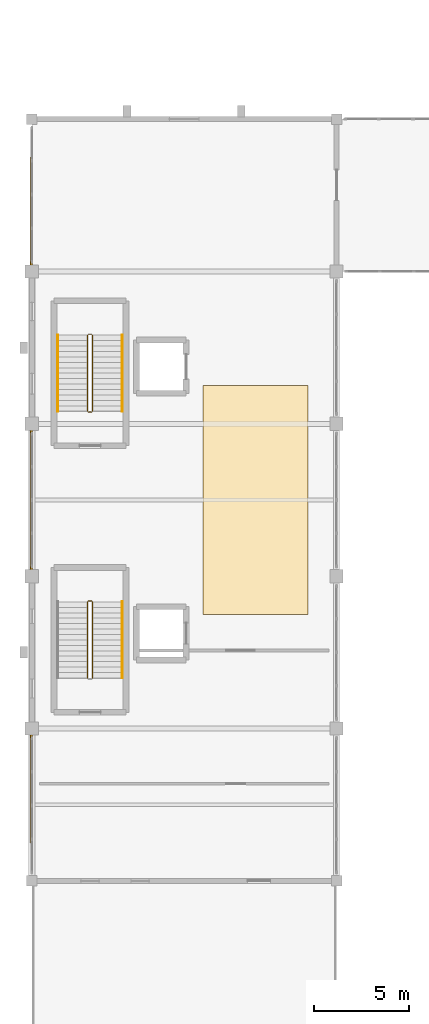
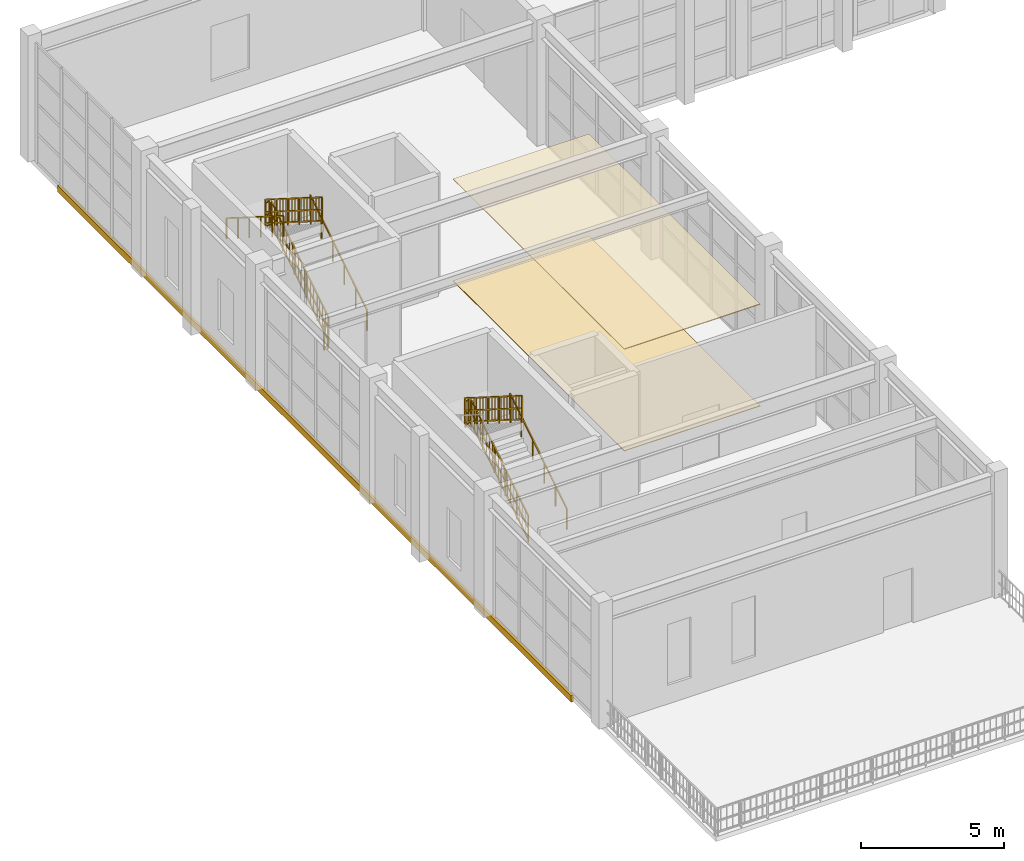
# One storey, part 74 of 82: 10 railings, 3 coverings.
"""IFC4 building model written with IfcOpenShell, lengths in metres."""

from ifc_helpers import new_model, si_unit, direction, frame, origin, origin_2d, place, context, subcontext, project, spatial, polyline, rectangle, outline, extrude, material, layer, layer_set, type_object, element, save


model = new_model("IFC4")

# Units and contexts
model_context = context("Model", 3, precision=1e-05, world=origin(), true_north=direction((0.0, 1.0)))
body_context = subcontext(model_context, "Body", "Model", "MODEL_VIEW")
ifc_project = project(units=[si_unit("LENGTHUNIT", "METRE"), si_unit("AREAUNIT", "SQUARE_METRE"), si_unit("VOLUMEUNIT", "CUBIC_METRE"), si_unit("PLANEANGLEUNIT", "RADIAN"), si_unit("MASSUNIT", "GRAM", prefix="KILO")], contexts=[model_context])

# Site, building, storey
site_placement = place(None, origin())
site = spatial("IfcSite", under=ifc_project, at=site_placement, CompositionType="ELEMENT")
building_placement = place(site_placement, origin())
building = spatial("IfcBuilding", under=site, at=building_placement, Name="Serraluz Foothill Cableway Terminal", CompositionType="ELEMENT")
storey_placement = place(building_placement, frame((0.0, 0.0, 9.60009765625)))
storey = spatial("IfcBuildingStorey", under=building, at=storey_placement, Name="L02", CompositionType="ELEMENT", Elevation=9.60009765625)

# Coverings
ifc_material_1 = material(Name="Perforated acoustic mineral and timber ceiling", Category="wood")
ifc_layer_1 = layer(ifc_material_1, 0.034912109375, Name="Perforated acoustic mineral and timber ceiling", Category="wood")
ifc_layer_set_1 = layer_set([ifc_layer_1], Name="Perforated acoustic mineral and timber ceiling")
covering_type_1 = type_object("IfcCoveringType", Name="TYP-COV-CEIL-35", PredefinedType="CEILING", material=ifc_layer_set_1)
covering_1_placement = place(storey_placement, frame((0.0, 0.0, 4.345947265625)))
element("IfcCovering", 1, at=covering_1_placement, inside=storey, type_object=covering_type_1, Name="Suspended Acoustic Ceiling 10", PredefinedType="CEILING", context=body_context, shape_type="SweptSolid", body=[
    extrude(outline(polyline([(9.0, 38.0), (9.0, 50.0), (14.5, 50.0), (14.5, 38.0), (9.0, 38.0)])), origin(), (0.0, 0.0, 1.0), 0.034912109375),
])
ifc_material_2 = material(Name="Fired clay masonry brick (f'm 12 MPa)", Category="masonry")
ifc_layer_2 = layer(ifc_material_2, 0.090087890625, Name="Fired clay masonry brick (f'm 12 MPa)", Category="masonry")
ifc_layer_set_2 = layer_set([ifc_layer_2], Name="Fired clay masonry brick (f'm 12 MPa)")
covering_type_2 = type_object("IfcCoveringType", Name="TYP-COV-CLAD-90", PredefinedType="CLADDING", material=ifc_layer_set_2)
covering_2_placement = place(storey_placement, frame((-0.030029296875, 44.0, -0.2802734375), z_axis=(0.0, 0.0, 1.0), x_axis=(0.0, 1.0, 0.0)))
element("IfcCovering", 2, at=covering_2_placement, inside=storey, type_object=covering_type_2, Name="Terracotta Spandrel Relief Band COV-CLAD-V5W-2", PredefinedType="CLADDING", context=body_context, shape_type="SweptSolid", body=[
    extrude(rectangle(XDim=36.0, YDim=0.090087890625, at=origin_2d()), origin(), (0.0, 0.0, 1.0), 0.280029296875),
])
ifc_material_3 = material(Name="Honed basalt and terrazzo floor finish", Category="masonry")
ifc_layer_3 = layer(ifc_material_3, 0.02490234375, Name="Honed basalt and terrazzo floor finish", Category="masonry")
ifc_layer_set_3 = layer_set([ifc_layer_3], Name="Honed basalt and terrazzo floor finish")
covering_type_3 = type_object("IfcCoveringType", Name="TYP-COV-FLR-25", PredefinedType="FLOORING", material=ifc_layer_set_3)
covering_3_placement = place(storey_placement, origin())
element("IfcCovering", 3, at=covering_3_placement, inside=storey, type_object=covering_type_3, Name="Terrazzo Concourse Flooring 10", PredefinedType="FLOORING", context=body_context, shape_type="SweptSolid", body=[
    extrude(outline(polyline([(9.0, 38.0), (14.5, 38.0), (14.5, 50.0), (9.0, 50.0), (9.0, 38.0)])), origin(), (0.0, 0.0, 1.0), 0.02490234375),
])

# Railings
ifc_material_4 = material(Name="Steel ASTM A572 Grade 50", Category="steel")
ifc_layer_4 = layer(ifc_material_4, 0.054931640625, Name="Steel ASTM A572 Grade 50", Category="steel")
ifc_layer_set_4 = layer_set([ifc_layer_4], Name="Steel ASTM A572 Grade 50")
railing_type_1 = type_object("IfcRailingType", Name="TYP-RL-GRD-1150", PredefinedType="GUARDRAIL", material=ifc_layer_set_4)
railing_1_placement = place(storey_placement, frame((3.18994140625, 48.659912109375, 0.179931640625)))
element("IfcRailing", 4, at=railing_1_placement, inside=storey, type_object=railing_type_1, Name="L02 ST-01 stair guard 1", PredefinedType="GUARDRAIL", context=body_context, shape_type="SweptSolid", body=[
    extrude(rectangle(XDim=0.048095703125, YDim=0.048095703125, at=origin_2d()), frame((0.0, 0.0, 1.1259765625), z_axis=(0.0, 0.845486444383, 0.533996884227), x_axis=(-1.0, 0.0, 0.0)), (0.0, 0.0, 1.0), 4.71923828125),
    extrude(rectangle(XDim=0.048095703125, YDim=0.048095703125, at=origin_2d()), frame((0.0, 0.0, 0.597900390625), z_axis=(0.0, 0.845486444383, 0.533996884227), x_axis=(-1.0, 0.0, 0.0)), (0.0, 0.0, 1.0), 4.71923828125),
    extrude(rectangle(XDim=0.048095703125, YDim=0.048095703125, at=origin_2d()), frame((0.0, 0.0, 0.1201171875), z_axis=(0.0, 0.845486444383, 0.533996884227), x_axis=(-1.0, 0.0, 0.0)), (0.0, 0.0, 1.0), 4.71923828125),
    extrude(rectangle(XDim=0.02001953125, YDim=0.02001953125, at=origin_2d()), frame((0.0, 0.2099609375, 0.252685546875)), (0.0, 0.0, 1.0), 0.981689453125),
    extrude(rectangle(XDim=0.02001953125, YDim=0.02001953125, at=origin_2d()), frame((0.0, 0.419921875, 0.38525390625)), (0.0, 0.0, 1.0), 0.981689453125),
    extrude(rectangle(XDim=0.02001953125, YDim=0.02001953125, at=origin_2d()), frame((0.0, 0.6298828125, 0.517822265625)), (0.0, 0.0, 1.0), 0.981689453125),
    extrude(rectangle(XDim=0.02001953125, YDim=0.02001953125, at=origin_2d()), frame((0.0, 1.050048828125, 0.783203125)), (0.0, 0.0, 1.0), 0.981689453125),
    extrude(rectangle(XDim=0.02001953125, YDim=0.02001953125, at=origin_2d()), frame((0.0, 1.260009765625, 0.915771484375)), (0.0, 0.0, 1.0), 0.981689453125),
    extrude(rectangle(XDim=0.02001953125, YDim=0.02001953125, at=origin_2d()), frame((0.0, 1.469970703125, 1.04833984375)), (0.0, 0.0, 1.0), 0.981689453125),
    extrude(rectangle(XDim=0.02001953125, YDim=0.02001953125, at=origin_2d()), frame((0.0, 1.679931640625, 1.18115234375)), (0.0, 0.0, 1.0), 0.981689453125),
    extrude(rectangle(XDim=0.02001953125, YDim=0.02001953125, at=origin_2d()), frame((0.0, 1.889892578125, 1.313720703125)), (0.0, 0.0, 1.0), 0.981689453125),
    extrude(rectangle(XDim=0.02001953125, YDim=0.02001953125, at=origin_2d()), frame((0.0, 2.10009765625, 1.4462890625)), (0.0, 0.0, 1.0), 0.981689453125),
    extrude(rectangle(XDim=0.02001953125, YDim=0.02001953125, at=origin_2d()), frame((0.0, 2.31005859375, 1.578857421875)), (0.0, 0.0, 1.0), 0.981689453125),
    extrude(rectangle(XDim=0.02001953125, YDim=0.02001953125, at=origin_2d()), frame((0.0, 2.52001953125, 1.711669921875)), (0.0, 0.0, 1.0), 0.981689453125),
    extrude(rectangle(XDim=0.02001953125, YDim=0.02001953125, at=origin_2d()), frame((0.0, 2.72998046875, 1.84423828125)), (0.0, 0.0, 1.0), 0.981689453125),
    extrude(rectangle(XDim=0.02001953125, YDim=0.02001953125, at=origin_2d()), frame((0.0, 2.93994140625, 1.976806640625)), (0.0, 0.0, 1.0), 0.981689453125),
    extrude(rectangle(XDim=0.02001953125, YDim=0.02001953125, at=origin_2d()), frame((0.0, 3.360107421875, 2.2421875)), (0.0, 0.0, 1.0), 0.981689453125),
    extrude(rectangle(XDim=0.02001953125, YDim=0.02001953125, at=origin_2d()), frame((0.0, 3.570068359375, 2.374755859375)), (0.0, 0.0, 1.0), 0.981689453125),
    extrude(rectangle(XDim=0.02001953125, YDim=0.02001953125, at=origin_2d()), frame((0.0, 3.780029296875, 2.50732421875)), (0.0, 0.0, 1.0), 0.981689453125),
    extrude(rectangle(XDim=0.0439453125, YDim=0.0439453125, at=origin_2d()), origin(), (0.0, 0.0, 1.0), 1.101806640625),
    extrude(rectangle(XDim=0.0439453125, YDim=0.0439453125, at=origin_2d()), frame((0.0, 0.798095703125, 0.50390625)), (0.0, 0.0, 1.0), 1.101806640625),
    extrude(rectangle(XDim=0.0439453125, YDim=0.0439453125, at=origin_2d()), frame((0.0, 1.595947265625, 1.008056640625)), (0.0, 0.0, 1.0), 1.101806640625),
    extrude(rectangle(XDim=0.0439453125, YDim=0.0439453125, at=origin_2d()), frame((0.0, 2.39404296875, 1.511962890625)), (0.0, 0.0, 1.0), 1.101806640625),
    extrude(rectangle(XDim=0.0439453125, YDim=0.0439453125, at=origin_2d()), frame((0.0, 3.19189453125, 2.01611328125)), (0.0, 0.0, 1.0), 1.101806640625),
    extrude(rectangle(XDim=0.0439453125, YDim=0.0439453125, at=origin_2d()), frame((0.0, 3.989990234375, 2.52001953125)), (0.0, 0.0, 1.0), 1.101806640625),
])
railing_2_placement = place(storey_placement, frame((3.139892578125, 52.699951171875, 2.699951171875)))
element("IfcRailing", 5, at=railing_2_placement, inside=storey, type_object=railing_type_1, Name="L02 ST-01 stair guard 2", PredefinedType="GUARDRAIL", context=body_context, shape_type="SweptSolid", body=[
    extrude(rectangle(XDim=0.048095703125, YDim=0.048095703125, at=origin_2d()), frame((0.0, 0.0, 1.1259765625), z_axis=(-1.0, 0.0, 0.0), x_axis=(0.0, -1.0, 0.0)), (0.0, 0.0, 1.0), 0.159912109375),
    extrude(rectangle(XDim=0.048095703125, YDim=0.048095703125, at=origin_2d()), frame((0.0, 0.0, 0.597900390625), z_axis=(-1.0, 0.0, 0.0), x_axis=(0.0, -1.0, 0.0)), (0.0, 0.0, 1.0), 0.159912109375),
    extrude(rectangle(XDim=0.048095703125, YDim=0.048095703125, at=origin_2d()), frame((0.0, 0.0, 0.1201171875), z_axis=(-1.0, 0.0, 0.0), x_axis=(0.0, -1.0, 0.0)), (0.0, 0.0, 1.0), 0.159912109375),
    extrude(rectangle(XDim=0.0439453125, YDim=0.0439453125, at=origin_2d()), origin(), (0.0, 0.0, 1.0), 1.101806640625),
    extrude(rectangle(XDim=0.0439453125, YDim=0.0439453125, at=origin_2d()), frame((-0.159912109375, 0.0, 0.0)), (0.0, 0.0, 1.0), 1.101806640625),
])
railing_3_placement = place(storey_placement, frame((2.929931640625, 52.64990234375, 2.8798828125)))
element("IfcRailing", 6, at=railing_3_placement, inside=storey, type_object=railing_type_1, Name="L02 ST-01 stair guard 3", PredefinedType="GUARDRAIL", context=body_context, shape_type="SweptSolid", body=[
    extrude(rectangle(XDim=0.048095703125, YDim=0.048095703125, at=origin_2d()), frame((0.0, 0.0, 1.1259765625), z_axis=(0.0, -0.845486444383, 0.533996884227), x_axis=(1.0, 0.0, 0.0)), (0.0, 0.0, 1.0), 4.71923828125),
    extrude(rectangle(XDim=0.048095703125, YDim=0.048095703125, at=origin_2d()), frame((0.0, 0.0, 0.597900390625), z_axis=(0.0, -0.845486444383, 0.533996884227), x_axis=(1.0, 0.0, 0.0)), (0.0, 0.0, 1.0), 4.71923828125),
    extrude(rectangle(XDim=0.048095703125, YDim=0.048095703125, at=origin_2d()), frame((0.0, 0.0, 0.1201171875), z_axis=(0.0, -0.845486444383, 0.533996884227), x_axis=(1.0, 0.0, 0.0)), (0.0, 0.0, 1.0), 4.71923828125),
    extrude(rectangle(XDim=0.02001953125, YDim=0.02001953125, at=origin_2d()), frame((0.0, -0.2099609375, 0.252685546875)), (0.0, 0.0, 1.0), 0.981689453125),
    extrude(rectangle(XDim=0.02001953125, YDim=0.02001953125, at=origin_2d()), frame((0.0, -0.419921875, 0.38525390625)), (0.0, 0.0, 1.0), 0.981689453125),
    extrude(rectangle(XDim=0.02001953125, YDim=0.02001953125, at=origin_2d()), frame((0.0, -0.6298828125, 0.517822265625)), (0.0, 0.0, 1.0), 0.981689453125),
    extrude(rectangle(XDim=0.02001953125, YDim=0.02001953125, at=origin_2d()), frame((0.0, -1.050048828125, 0.783203125)), (0.0, 0.0, 1.0), 0.981689453125),
    extrude(rectangle(XDim=0.02001953125, YDim=0.02001953125, at=origin_2d()), frame((0.0, -1.260009765625, 0.915771484375)), (0.0, 0.0, 1.0), 0.981689453125),
    extrude(rectangle(XDim=0.02001953125, YDim=0.02001953125, at=origin_2d()), frame((0.0, -1.469970703125, 1.04833984375)), (0.0, 0.0, 1.0), 0.981689453125),
    extrude(rectangle(XDim=0.02001953125, YDim=0.02001953125, at=origin_2d()), frame((0.0, -1.679931640625, 1.18115234375)), (0.0, 0.0, 1.0), 0.981689453125),
    extrude(rectangle(XDim=0.02001953125, YDim=0.02001953125, at=origin_2d()), frame((0.0, -1.889892578125, 1.313720703125)), (0.0, 0.0, 1.0), 0.981689453125),
    extrude(rectangle(XDim=0.02001953125, YDim=0.02001953125, at=origin_2d()), frame((0.0, -2.10009765625, 1.4462890625)), (0.0, 0.0, 1.0), 0.981689453125),
    extrude(rectangle(XDim=0.02001953125, YDim=0.02001953125, at=origin_2d()), frame((0.0, -2.31005859375, 1.578857421875)), (0.0, 0.0, 1.0), 0.981689453125),
    extrude(rectangle(XDim=0.02001953125, YDim=0.02001953125, at=origin_2d()), frame((0.0, -2.52001953125, 1.711669921875)), (0.0, 0.0, 1.0), 0.981689453125),
    extrude(rectangle(XDim=0.02001953125, YDim=0.02001953125, at=origin_2d()), frame((0.0, -2.72998046875, 1.84423828125)), (0.0, 0.0, 1.0), 0.981689453125),
    extrude(rectangle(XDim=0.02001953125, YDim=0.02001953125, at=origin_2d()), frame((0.0, -2.93994140625, 1.976806640625)), (0.0, 0.0, 1.0), 0.981689453125),
    extrude(rectangle(XDim=0.02001953125, YDim=0.02001953125, at=origin_2d()), frame((0.0, -3.360107421875, 2.2421875)), (0.0, 0.0, 1.0), 0.981689453125),
    extrude(rectangle(XDim=0.02001953125, YDim=0.02001953125, at=origin_2d()), frame((0.0, -3.570068359375, 2.374755859375)), (0.0, 0.0, 1.0), 0.981689453125),
    extrude(rectangle(XDim=0.02001953125, YDim=0.02001953125, at=origin_2d()), frame((0.0, -3.780029296875, 2.50732421875)), (0.0, 0.0, 1.0), 0.981689453125),
    extrude(rectangle(XDim=0.0439453125, YDim=0.0439453125, at=origin_2d()), origin(), (0.0, 0.0, 1.0), 1.101806640625),
    extrude(rectangle(XDim=0.0439453125, YDim=0.0439453125, at=origin_2d()), frame((0.0, -0.798095703125, 0.50390625)), (0.0, 0.0, 1.0), 1.101806640625),
    extrude(rectangle(XDim=0.0439453125, YDim=0.0439453125, at=origin_2d()), frame((0.0, -1.595947265625, 1.008056640625)), (0.0, 0.0, 1.0), 1.101806640625),
    extrude(rectangle(XDim=0.0439453125, YDim=0.0439453125, at=origin_2d()), frame((0.0, -2.39404296875, 1.511962890625)), (0.0, 0.0, 1.0), 1.101806640625),
    extrude(rectangle(XDim=0.0439453125, YDim=0.0439453125, at=origin_2d()), frame((0.0, -3.19189453125, 2.01611328125)), (0.0, 0.0, 1.0), 1.101806640625),
    extrude(rectangle(XDim=0.0439453125, YDim=0.0439453125, at=origin_2d()), frame((0.0, -3.989990234375, 2.52001953125)), (0.0, 0.0, 1.0), 1.101806640625),
])
railing_4_placement = place(storey_placement, frame((3.139892578125, 48.610107421875, 0.0)))
element("IfcRailing", 7, at=railing_4_placement, inside=storey, type_object=railing_type_1, Name="L02 ST-01 stair guard 4", PredefinedType="GUARDRAIL", context=body_context, shape_type="SweptSolid", body=[
    extrude(rectangle(XDim=0.048095703125, YDim=0.048095703125, at=origin_2d()), frame((0.0, 0.0, 1.1259765625), z_axis=(-1.0, 0.0, 0.0), x_axis=(0.0, -1.0, 0.0)), (0.0, 0.0, 1.0), 0.159912109375),
    extrude(rectangle(XDim=0.048095703125, YDim=0.048095703125, at=origin_2d()), frame((0.0, 0.0, 0.597900390625), z_axis=(-1.0, 0.0, 0.0), x_axis=(0.0, -1.0, 0.0)), (0.0, 0.0, 1.0), 0.159912109375),
    extrude(rectangle(XDim=0.048095703125, YDim=0.048095703125, at=origin_2d()), frame((0.0, 0.0, 0.1201171875), z_axis=(-1.0, 0.0, 0.0), x_axis=(0.0, -1.0, 0.0)), (0.0, 0.0, 1.0), 0.159912109375),
    extrude(rectangle(XDim=0.0439453125, YDim=0.0439453125, at=origin_2d()), origin(), (0.0, 0.0, 1.0), 1.101806640625),
    extrude(rectangle(XDim=0.0439453125, YDim=0.0439453125, at=origin_2d()), frame((-0.159912109375, 0.0, 0.0)), (0.0, 0.0, 1.0), 1.101806640625),
])
railing_5_placement = place(storey_placement, frame((3.18994140625, 34.659912109375, 0.179931640625)))
element("IfcRailing", 8, at=railing_5_placement, inside=storey, type_object=railing_type_1, Name="L02 ST-02 stair guard 1", PredefinedType="GUARDRAIL", context=body_context, shape_type="SweptSolid", body=[
    extrude(rectangle(XDim=0.048095703125, YDim=0.048095703125, at=origin_2d()), frame((0.0, 0.0, 1.1259765625), z_axis=(0.0, 0.845486444383, 0.533996884227), x_axis=(-1.0, 0.0, 0.0)), (0.0, 0.0, 1.0), 4.71923828125),
    extrude(rectangle(XDim=0.048095703125, YDim=0.048095703125, at=origin_2d()), frame((0.0, 0.0, 0.597900390625), z_axis=(0.0, 0.845486444383, 0.533996884227), x_axis=(-1.0, 0.0, 0.0)), (0.0, 0.0, 1.0), 4.71923828125),
    extrude(rectangle(XDim=0.048095703125, YDim=0.048095703125, at=origin_2d()), frame((0.0, 0.0, 0.1201171875), z_axis=(0.0, 0.845486444383, 0.533996884227), x_axis=(-1.0, 0.0, 0.0)), (0.0, 0.0, 1.0), 4.71923828125),
    extrude(rectangle(XDim=0.02001953125, YDim=0.02001953125, at=origin_2d()), frame((0.0, 0.2099609375, 0.252685546875)), (0.0, 0.0, 1.0), 0.981689453125),
    extrude(rectangle(XDim=0.02001953125, YDim=0.02001953125, at=origin_2d()), frame((0.0, 0.419921875, 0.38525390625)), (0.0, 0.0, 1.0), 0.981689453125),
    extrude(rectangle(XDim=0.02001953125, YDim=0.02001953125, at=origin_2d()), frame((0.0, 0.6298828125, 0.517822265625)), (0.0, 0.0, 1.0), 0.981689453125),
    extrude(rectangle(XDim=0.02001953125, YDim=0.02001953125, at=origin_2d()), frame((0.0, 1.050048828125, 0.783203125)), (0.0, 0.0, 1.0), 0.981689453125),
    extrude(rectangle(XDim=0.02001953125, YDim=0.02001953125, at=origin_2d()), frame((0.0, 1.260009765625, 0.915771484375)), (0.0, 0.0, 1.0), 0.981689453125),
    extrude(rectangle(XDim=0.02001953125, YDim=0.02001953125, at=origin_2d()), frame((0.0, 1.469970703125, 1.04833984375)), (0.0, 0.0, 1.0), 0.981689453125),
    extrude(rectangle(XDim=0.02001953125, YDim=0.02001953125, at=origin_2d()), frame((0.0, 1.679931640625, 1.18115234375)), (0.0, 0.0, 1.0), 0.981689453125),
    extrude(rectangle(XDim=0.02001953125, YDim=0.02001953125, at=origin_2d()), frame((0.0, 1.889892578125, 1.313720703125)), (0.0, 0.0, 1.0), 0.981689453125),
    extrude(rectangle(XDim=0.02001953125, YDim=0.02001953125, at=origin_2d()), frame((0.0, 2.10009765625, 1.4462890625)), (0.0, 0.0, 1.0), 0.981689453125),
    extrude(rectangle(XDim=0.02001953125, YDim=0.02001953125, at=origin_2d()), frame((0.0, 2.31005859375, 1.578857421875)), (0.0, 0.0, 1.0), 0.981689453125),
    extrude(rectangle(XDim=0.02001953125, YDim=0.02001953125, at=origin_2d()), frame((0.0, 2.52001953125, 1.711669921875)), (0.0, 0.0, 1.0), 0.981689453125),
    extrude(rectangle(XDim=0.02001953125, YDim=0.02001953125, at=origin_2d()), frame((0.0, 2.72998046875, 1.84423828125)), (0.0, 0.0, 1.0), 0.981689453125),
    extrude(rectangle(XDim=0.02001953125, YDim=0.02001953125, at=origin_2d()), frame((0.0, 2.93994140625, 1.976806640625)), (0.0, 0.0, 1.0), 0.981689453125),
    extrude(rectangle(XDim=0.02001953125, YDim=0.02001953125, at=origin_2d()), frame((0.0, 3.360107421875, 2.2421875)), (0.0, 0.0, 1.0), 0.981689453125),
    extrude(rectangle(XDim=0.02001953125, YDim=0.02001953125, at=origin_2d()), frame((0.0, 3.570068359375, 2.374755859375)), (0.0, 0.0, 1.0), 0.981689453125),
    extrude(rectangle(XDim=0.02001953125, YDim=0.02001953125, at=origin_2d()), frame((0.0, 3.780029296875, 2.50732421875)), (0.0, 0.0, 1.0), 0.981689453125),
    extrude(rectangle(XDim=0.0439453125, YDim=0.0439453125, at=origin_2d()), origin(), (0.0, 0.0, 1.0), 1.101806640625),
    extrude(rectangle(XDim=0.0439453125, YDim=0.0439453125, at=origin_2d()), frame((0.0, 0.798095703125, 0.50390625)), (0.0, 0.0, 1.0), 1.101806640625),
    extrude(rectangle(XDim=0.0439453125, YDim=0.0439453125, at=origin_2d()), frame((0.0, 1.595947265625, 1.008056640625)), (0.0, 0.0, 1.0), 1.101806640625),
    extrude(rectangle(XDim=0.0439453125, YDim=0.0439453125, at=origin_2d()), frame((0.0, 2.39404296875, 1.511962890625)), (0.0, 0.0, 1.0), 1.101806640625),
    extrude(rectangle(XDim=0.0439453125, YDim=0.0439453125, at=origin_2d()), frame((0.0, 3.19189453125, 2.01611328125)), (0.0, 0.0, 1.0), 1.101806640625),
    extrude(rectangle(XDim=0.0439453125, YDim=0.0439453125, at=origin_2d()), frame((0.0, 3.989990234375, 2.52001953125)), (0.0, 0.0, 1.0), 1.101806640625),
])
railing_6_placement = place(storey_placement, frame((3.139892578125, 38.699951171875, 2.699951171875)))
element("IfcRailing", 9, at=railing_6_placement, inside=storey, type_object=railing_type_1, Name="L02 ST-02 stair guard 2", PredefinedType="GUARDRAIL", context=body_context, shape_type="SweptSolid", body=[
    extrude(rectangle(XDim=0.048095703125, YDim=0.048095703125, at=origin_2d()), frame((0.0, 0.0, 1.1259765625), z_axis=(-1.0, 0.0, 0.0), x_axis=(0.0, -1.0, 0.0)), (0.0, 0.0, 1.0), 0.159912109375),
    extrude(rectangle(XDim=0.048095703125, YDim=0.048095703125, at=origin_2d()), frame((0.0, 0.0, 0.597900390625), z_axis=(-1.0, 0.0, 0.0), x_axis=(0.0, -1.0, 0.0)), (0.0, 0.0, 1.0), 0.159912109375),
    extrude(rectangle(XDim=0.048095703125, YDim=0.048095703125, at=origin_2d()), frame((0.0, 0.0, 0.1201171875), z_axis=(-1.0, 0.0, 0.0), x_axis=(0.0, -1.0, 0.0)), (0.0, 0.0, 1.0), 0.159912109375),
    extrude(rectangle(XDim=0.0439453125, YDim=0.0439453125, at=origin_2d()), origin(), (0.0, 0.0, 1.0), 1.101806640625),
    extrude(rectangle(XDim=0.0439453125, YDim=0.0439453125, at=origin_2d()), frame((-0.159912109375, 0.0, 0.0)), (0.0, 0.0, 1.0), 1.101806640625),
])
railing_7_placement = place(storey_placement, frame((2.929931640625, 38.64990234375, 2.8798828125)))
element("IfcRailing", 10, at=railing_7_placement, inside=storey, type_object=railing_type_1, Name="L02 ST-02 stair guard 3", PredefinedType="GUARDRAIL", context=body_context, shape_type="SweptSolid", body=[
    extrude(rectangle(XDim=0.048095703125, YDim=0.048095703125, at=origin_2d()), frame((0.0, 0.0, 1.1259765625), z_axis=(0.0, -0.845486444383, 0.533996884227), x_axis=(1.0, 0.0, 0.0)), (0.0, 0.0, 1.0), 4.71923828125),
    extrude(rectangle(XDim=0.048095703125, YDim=0.048095703125, at=origin_2d()), frame((0.0, 0.0, 0.597900390625), z_axis=(0.0, -0.845486444383, 0.533996884227), x_axis=(1.0, 0.0, 0.0)), (0.0, 0.0, 1.0), 4.71923828125),
    extrude(rectangle(XDim=0.048095703125, YDim=0.048095703125, at=origin_2d()), frame((0.0, 0.0, 0.1201171875), z_axis=(0.0, -0.845486444383, 0.533996884227), x_axis=(1.0, 0.0, 0.0)), (0.0, 0.0, 1.0), 4.71923828125),
    extrude(rectangle(XDim=0.02001953125, YDim=0.02001953125, at=origin_2d()), frame((0.0, -0.2099609375, 0.252685546875)), (0.0, 0.0, 1.0), 0.981689453125),
    extrude(rectangle(XDim=0.02001953125, YDim=0.02001953125, at=origin_2d()), frame((0.0, -0.419921875, 0.38525390625)), (0.0, 0.0, 1.0), 0.981689453125),
    extrude(rectangle(XDim=0.02001953125, YDim=0.02001953125, at=origin_2d()), frame((0.0, -0.6298828125, 0.517822265625)), (0.0, 0.0, 1.0), 0.981689453125),
    extrude(rectangle(XDim=0.02001953125, YDim=0.02001953125, at=origin_2d()), frame((0.0, -1.050048828125, 0.783203125)), (0.0, 0.0, 1.0), 0.981689453125),
    extrude(rectangle(XDim=0.02001953125, YDim=0.02001953125, at=origin_2d()), frame((0.0, -1.260009765625, 0.915771484375)), (0.0, 0.0, 1.0), 0.981689453125),
    extrude(rectangle(XDim=0.02001953125, YDim=0.02001953125, at=origin_2d()), frame((0.0, -1.469970703125, 1.04833984375)), (0.0, 0.0, 1.0), 0.981689453125),
    extrude(rectangle(XDim=0.02001953125, YDim=0.02001953125, at=origin_2d()), frame((0.0, -1.679931640625, 1.18115234375)), (0.0, 0.0, 1.0), 0.981689453125),
    extrude(rectangle(XDim=0.02001953125, YDim=0.02001953125, at=origin_2d()), frame((0.0, -1.889892578125, 1.313720703125)), (0.0, 0.0, 1.0), 0.981689453125),
    extrude(rectangle(XDim=0.02001953125, YDim=0.02001953125, at=origin_2d()), frame((0.0, -2.10009765625, 1.4462890625)), (0.0, 0.0, 1.0), 0.981689453125),
    extrude(rectangle(XDim=0.02001953125, YDim=0.02001953125, at=origin_2d()), frame((0.0, -2.31005859375, 1.578857421875)), (0.0, 0.0, 1.0), 0.981689453125),
    extrude(rectangle(XDim=0.02001953125, YDim=0.02001953125, at=origin_2d()), frame((0.0, -2.52001953125, 1.711669921875)), (0.0, 0.0, 1.0), 0.981689453125),
    extrude(rectangle(XDim=0.02001953125, YDim=0.02001953125, at=origin_2d()), frame((0.0, -2.72998046875, 1.84423828125)), (0.0, 0.0, 1.0), 0.981689453125),
    extrude(rectangle(XDim=0.02001953125, YDim=0.02001953125, at=origin_2d()), frame((0.0, -2.93994140625, 1.976806640625)), (0.0, 0.0, 1.0), 0.981689453125),
    extrude(rectangle(XDim=0.02001953125, YDim=0.02001953125, at=origin_2d()), frame((0.0, -3.360107421875, 2.2421875)), (0.0, 0.0, 1.0), 0.981689453125),
    extrude(rectangle(XDim=0.02001953125, YDim=0.02001953125, at=origin_2d()), frame((0.0, -3.570068359375, 2.374755859375)), (0.0, 0.0, 1.0), 0.981689453125),
    extrude(rectangle(XDim=0.02001953125, YDim=0.02001953125, at=origin_2d()), frame((0.0, -3.780029296875, 2.50732421875)), (0.0, 0.0, 1.0), 0.981689453125),
    extrude(rectangle(XDim=0.0439453125, YDim=0.0439453125, at=origin_2d()), origin(), (0.0, 0.0, 1.0), 1.101806640625),
    extrude(rectangle(XDim=0.0439453125, YDim=0.0439453125, at=origin_2d()), frame((0.0, -0.798095703125, 0.50390625)), (0.0, 0.0, 1.0), 1.101806640625),
    extrude(rectangle(XDim=0.0439453125, YDim=0.0439453125, at=origin_2d()), frame((0.0, -1.595947265625, 1.008056640625)), (0.0, 0.0, 1.0), 1.101806640625),
    extrude(rectangle(XDim=0.0439453125, YDim=0.0439453125, at=origin_2d()), frame((0.0, -2.39404296875, 1.511962890625)), (0.0, 0.0, 1.0), 1.101806640625),
    extrude(rectangle(XDim=0.0439453125, YDim=0.0439453125, at=origin_2d()), frame((0.0, -3.19189453125, 2.01611328125)), (0.0, 0.0, 1.0), 1.101806640625),
    extrude(rectangle(XDim=0.0439453125, YDim=0.0439453125, at=origin_2d()), frame((0.0, -3.989990234375, 2.52001953125)), (0.0, 0.0, 1.0), 1.101806640625),
])
ifc_material_5 = material(Name="Architectural bronze alloy C28000", Category="aluminium")
ifc_layer_5 = layer(ifc_material_5, 0.048095703125, Name="Architectural bronze alloy C28000", Category="aluminium")
ifc_layer_set_5 = layer_set([ifc_layer_5], Name="Architectural bronze alloy C28000")
railing_type_2 = type_object("IfcRailingType", Name="TYP-RL-HND-920", PredefinedType="HANDRAIL", material=ifc_layer_set_5)
railing_8_placement = place(storey_placement, frame((4.75, 48.659912109375, 0.179931640625)))
element("IfcRailing", 11, at=railing_8_placement, inside=storey, type_object=railing_type_2, Name="L02 ST-01 stair handrail 1", PredefinedType="HANDRAIL", context=body_context, shape_type="SweptSolid", body=[
    extrude(rectangle(XDim=0.048095703125, YDim=0.048095703125, at=origin_2d()), frame((0.0, 0.0, 0.8759765625), z_axis=(0.0, 0.845486444383, 0.533996884227), x_axis=(-1.0, 0.0, 0.0)), (0.0, 0.0, 1.0), 4.71923828125),
    extrude(rectangle(XDim=0.0439453125, YDim=0.0439453125, at=origin_2d()), origin(), (0.0, 0.0, 1.0), 0.851806640625),
    extrude(rectangle(XDim=0.0439453125, YDim=0.0439453125, at=origin_2d()), frame((0.0, 0.798095703125, 0.50390625)), (0.0, 0.0, 1.0), 0.851806640625),
    extrude(rectangle(XDim=0.0439453125, YDim=0.0439453125, at=origin_2d()), frame((0.0, 1.595947265625, 1.008056640625)), (0.0, 0.0, 1.0), 0.851806640625),
    extrude(rectangle(XDim=0.0439453125, YDim=0.0439453125, at=origin_2d()), frame((0.0, 2.39404296875, 1.511962890625)), (0.0, 0.0, 1.0), 0.851806640625),
    extrude(rectangle(XDim=0.0439453125, YDim=0.0439453125, at=origin_2d()), frame((0.0, 3.19189453125, 2.01611328125)), (0.0, 0.0, 1.0), 0.851806640625),
    extrude(rectangle(XDim=0.0439453125, YDim=0.0439453125, at=origin_2d()), frame((0.0, 3.989990234375, 2.52001953125)), (0.0, 0.0, 1.0), 0.851806640625),
])
railing_9_placement = place(storey_placement, frame((1.3701171875, 52.64990234375, 2.8798828125)))
element("IfcRailing", 12, at=railing_9_placement, inside=storey, type_object=railing_type_2, Name="L02 ST-01 stair handrail 2", PredefinedType="HANDRAIL", context=body_context, shape_type="SweptSolid", body=[
    extrude(rectangle(XDim=0.048095703125, YDim=0.048095703125, at=origin_2d()), frame((0.0, 0.0, 0.8759765625), z_axis=(0.0, -0.845486444383, 0.533996884227), x_axis=(1.0, 0.0, 0.0)), (0.0, 0.0, 1.0), 4.71923828125),
    extrude(rectangle(XDim=0.0439453125, YDim=0.0439453125, at=origin_2d()), origin(), (0.0, 0.0, 1.0), 0.851806640625),
    extrude(rectangle(XDim=0.0439453125, YDim=0.0439453125, at=origin_2d()), frame((0.0, -0.798095703125, 0.50390625)), (0.0, 0.0, 1.0), 0.851806640625),
    extrude(rectangle(XDim=0.0439453125, YDim=0.0439453125, at=origin_2d()), frame((0.0, -1.595947265625, 1.008056640625)), (0.0, 0.0, 1.0), 0.851806640625),
    extrude(rectangle(XDim=0.0439453125, YDim=0.0439453125, at=origin_2d()), frame((0.0, -2.39404296875, 1.511962890625)), (0.0, 0.0, 1.0), 0.851806640625),
    extrude(rectangle(XDim=0.0439453125, YDim=0.0439453125, at=origin_2d()), frame((0.0, -3.19189453125, 2.01611328125)), (0.0, 0.0, 1.0), 0.851806640625),
    extrude(rectangle(XDim=0.0439453125, YDim=0.0439453125, at=origin_2d()), frame((0.0, -3.989990234375, 2.52001953125)), (0.0, 0.0, 1.0), 0.851806640625),
])
railing_10_placement = place(storey_placement, frame((4.75, 34.659912109375, 0.179931640625)))
element("IfcRailing", 13, at=railing_10_placement, inside=storey, type_object=railing_type_2, Name="L02 ST-02 stair handrail 1", PredefinedType="HANDRAIL", context=body_context, shape_type="SweptSolid", body=[
    extrude(rectangle(XDim=0.048095703125, YDim=0.048095703125, at=origin_2d()), frame((0.0, 0.0, 0.8759765625), z_axis=(0.0, 0.845486444383, 0.533996884227), x_axis=(-1.0, 0.0, 0.0)), (0.0, 0.0, 1.0), 4.71923828125),
    extrude(rectangle(XDim=0.0439453125, YDim=0.0439453125, at=origin_2d()), origin(), (0.0, 0.0, 1.0), 0.851806640625),
    extrude(rectangle(XDim=0.0439453125, YDim=0.0439453125, at=origin_2d()), frame((0.0, 0.798095703125, 0.50390625)), (0.0, 0.0, 1.0), 0.851806640625),
    extrude(rectangle(XDim=0.0439453125, YDim=0.0439453125, at=origin_2d()), frame((0.0, 1.595947265625, 1.008056640625)), (0.0, 0.0, 1.0), 0.851806640625),
    extrude(rectangle(XDim=0.0439453125, YDim=0.0439453125, at=origin_2d()), frame((0.0, 2.39404296875, 1.511962890625)), (0.0, 0.0, 1.0), 0.851806640625),
    extrude(rectangle(XDim=0.0439453125, YDim=0.0439453125, at=origin_2d()), frame((0.0, 3.19189453125, 2.01611328125)), (0.0, 0.0, 1.0), 0.851806640625),
    extrude(rectangle(XDim=0.0439453125, YDim=0.0439453125, at=origin_2d()), frame((0.0, 3.989990234375, 2.52001953125)), (0.0, 0.0, 1.0), 0.851806640625),
])

save(model, "model.ifc")
